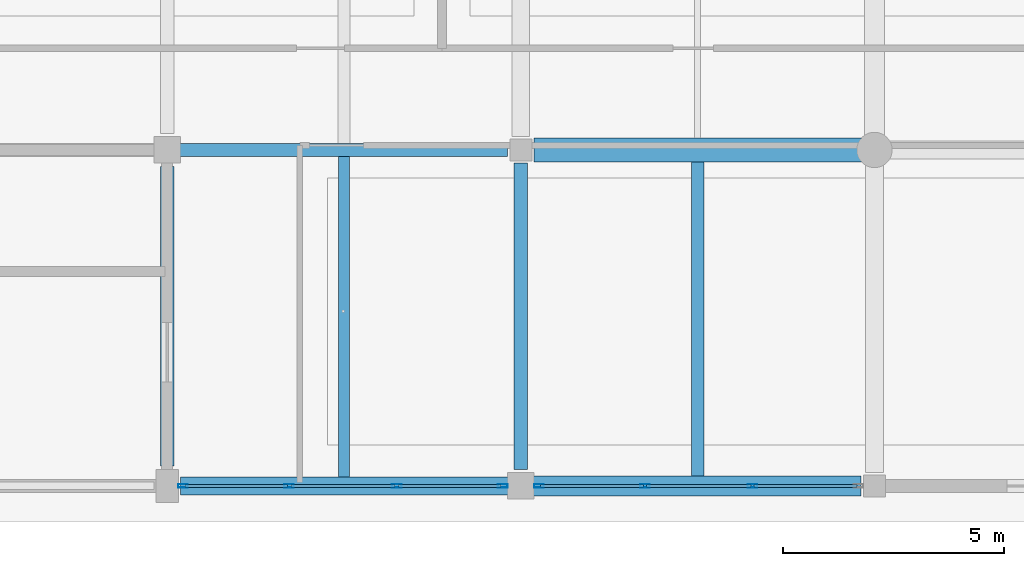
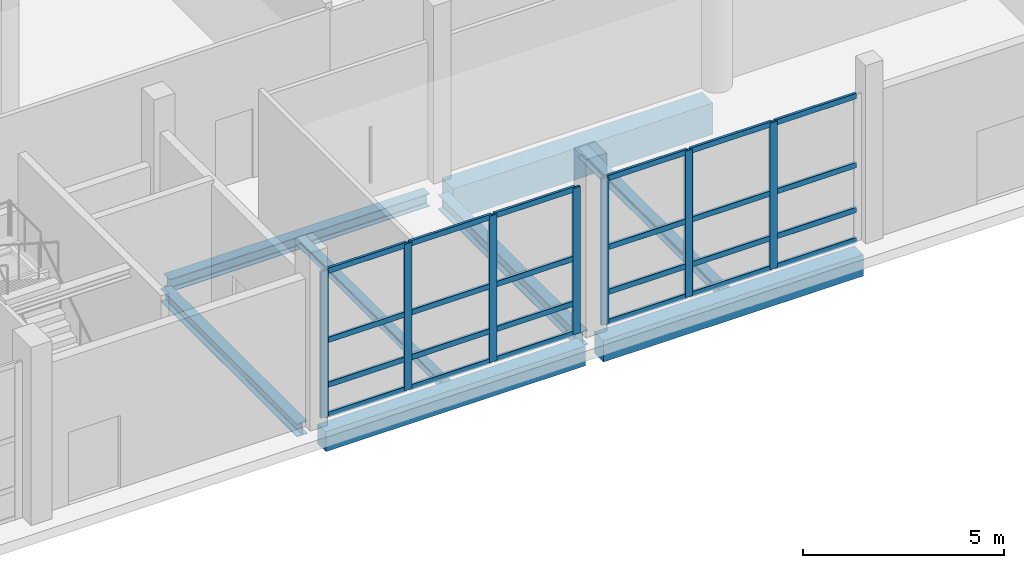
# One storey, part 16 of 126: 31 members, 8 beams, 2 elements without a shape of their own.
"""IFC4 building model written with IfcOpenShell, lengths in metres."""

import ifcopenshell
import ifcopenshell.guid

model = None  # the IFC model being written
_history = None  # IfcOwnerHistory: only IFC2X3 demands one
_inside = {}  # id of a spatial element -> (the spatial element, [elements in it])
_under = {}  # id of a project, library or spatial element -> (it, [spatial elements below it])
_declared = {}  # id of a project -> (the project, [libraries it declares])
_typed = {}  # id of a type object -> (the type object, [elements of that type])
_made_of = {}  # id of a material, layer set ... -> (it, [elements and type objects made of it])


def new_model(schema):
    """Start an empty IFC model of exactly this schema.

    Asked for "IFC4X3", IfcOpenShell would pick the latest addendum, in which some entities
    have other attributes; the version numbers below select the first issue.
    IFC2X3 requires an IfcOwnerHistory on every rooted entity: one is made here for all.
    """
    global model, _history
    if schema == "IFC4X3":
        model = ifcopenshell.file(schema_version=(4, 3, 0, 0))
    else:
        model = ifcopenshell.file(schema=schema)
    _inside.clear()
    _under.clear()
    _declared.clear()
    _typed.clear()
    _made_of.clear()
    _history = None
    if model.schema == "IFC2X3":
        org = make("IfcOrganization", Name="unknown")
        user = make(
            "IfcPersonAndOrganization",
            ThePerson=make("IfcPerson", FamilyName="unknown"),
            TheOrganization=org,
        )
        app = make(
            "IfcApplication",
            ApplicationDeveloper=org,
            Version="unknown",
            ApplicationFullName="unknown",
            ApplicationIdentifier="unknown",
        )
        _history = make(
            "IfcOwnerHistory",
            OwningUser=user,
            OwningApplication=app,
            ChangeAction="ADDED",
            CreationDate=0,
        )
    return model


def make(cls, **values):
    """One entity of the class cls with the attributes given. An attribute that is None is left unset."""
    return model.create_entity(
        cls, **{name: value for name, value in values.items() if value is not None}
    )


def rooted(cls, **values):
    """An entity with a GlobalId (a new one), such as an element, a storey or a relation."""
    return make(cls, GlobalId=ifcopenshell.guid.new(), OwnerHistory=_history, **values)


def si_unit(unit_type, name, prefix=None):
    """IfcSIUnit, for example si_unit("LENGTHUNIT", "METRE", prefix="MILLI")."""
    return make("IfcSIUnit", UnitType=unit_type, Prefix=prefix, Name=name)


def assignment(units):
    """IfcUnitAssignment: the units of a project."""
    return None if units is None else make("IfcUnitAssignment", Units=units)


def point(xyz):
    """IfcCartesianPoint."""
    return None if xyz is None else make("IfcCartesianPoint", Coordinates=xyz)


def direction(xyz):
    """IfcDirection."""
    return None if xyz is None else make("IfcDirection", DirectionRatios=xyz)


def frame(location, z_axis=None, x_axis=None):
    """IfcAxis2Placement3D, a coordinate frame: its origin and axes. An axis left out is left unset."""
    return make(
        "IfcAxis2Placement3D",
        Location=point(location),
        Axis=direction(z_axis),
        RefDirection=direction(x_axis),
    )


def frame_2d(location, x_axis=None):
    """IfcAxis2Placement2D, a coordinate frame in the plane: its origin and x axis."""
    return make(
        "IfcAxis2Placement2D", Location=point(location), RefDirection=direction(x_axis)
    )


def origin():
    """The frame at (0, 0, 0) with its axes left unset."""
    return frame((0.0, 0.0, 0.0))


def origin_2d():
    """The frame at (0, 0) in the plane with its x axis left unset."""
    return frame_2d((0.0, 0.0))


def place(relative_to, where):
    """IfcLocalPlacement: puts the frame where relative to a parent placement (None: the world)."""
    return make(
        "IfcLocalPlacement", PlacementRelTo=relative_to, RelativePlacement=where
    )


def context(
    kind, dimensions, precision=None, world=None, true_north=None, identifier=None
):
    """IfcGeometricRepresentationContext, for example the 3D "Model" context."""
    return make(
        "IfcGeometricRepresentationContext",
        ContextIdentifier=identifier,
        ContextType=kind,
        CoordinateSpaceDimension=dimensions,
        Precision=precision,
        WorldCoordinateSystem=world,
        TrueNorth=true_north,
    )


def subcontext(parent, identifier, kind, view, scale=None):
    """IfcGeometricRepresentationSubContext, for example "Body" below "Model"."""
    return make(
        "IfcGeometricRepresentationSubContext",
        ContextIdentifier=identifier,
        ContextType=kind,
        ParentContext=parent,
        TargetScale=scale,
        TargetView=view,
    )


def project(units=None, contexts=None):
    """IfcProject with its units and contexts."""
    return rooted(
        "IfcProject",
        Name="project",
        RepresentationContexts=contexts,
        UnitsInContext=assignment(units),
    )


def spatial(cls, under=None, at=None, **own):
    """A site, building, storey or space (cls), placed at a placement, below another one or the project."""
    s = rooted(cls, ObjectPlacement=at, **own)
    if under is not None:
        _under.setdefault(under.id(), (under, []))[1].append(s)
    return s


def profile(cls, at=None, kind="AREA", **sizes):
    """A parametric profile (cls). Its sizes go by their IFC names, for example OverallWidth=200.0."""
    return make(cls, ProfileType=kind, Position=at, **sizes)


def rectangle(**sizes):
    """IfcRectangleProfileDef."""
    return profile("IfcRectangleProfileDef", **sizes)


def hollow_rectangle(**sizes):
    """IfcRectangleHollowProfileDef."""
    return profile("IfcRectangleHollowProfileDef", **sizes)


def i_section(**sizes):
    """IfcIShapeProfileDef."""
    return profile("IfcIShapeProfileDef", **sizes)


def extrude(swept, where, along, depth):
    """IfcExtrudedAreaSolid: the profile swept, set in the frame where, extruded along a direction by depth."""
    return make(
        "IfcExtrudedAreaSolid",
        SweptArea=swept,
        Position=where,
        ExtrudedDirection=direction(along),
        Depth=depth,
    )


def shape(context_of_items, identifier, shape_type, items):
    """IfcShapeRepresentation: the items that make up one representation, for example the "Body"."""
    return make(
        "IfcShapeRepresentation",
        ContextOfItems=context_of_items,
        RepresentationIdentifier=identifier,
        RepresentationType=shape_type,
        Items=items,
    )


def material(Name=None, Category=None):
    """IfcMaterial."""
    return make("IfcMaterial", Name=Name, Category=Category)


def material_profile(
    of_material, cross_section, Name=None, Category=None, Priority=None
):
    """IfcMaterialProfile: a cross section and its material."""
    return make(
        "IfcMaterialProfile",
        Name=Name,
        Material=of_material,
        Profile=cross_section,
        Priority=Priority,
        Category=Category,
    )


def profile_set(profiles, Name=None, composite=None):
    """IfcMaterialProfileSet."""
    return make(
        "IfcMaterialProfileSet",
        Name=Name,
        MaterialProfiles=profiles,
        CompositeProfile=composite,
    )


def made_of(thing, what):
    """Note that an element or type object is made of a material, layer set ...; save() writes the relation."""
    if what is not None:
        _made_of.setdefault(what.id(), (what, []))[1].append(thing)
    return thing


def type_object(cls, material=None, **own):
    """A type object (cls), such as IfcWallType, which elements share."""
    return made_of(rooted(cls, **own), material)


def element(
    cls,
    number,
    at=None,
    inside=None,
    cuts=None,
    type_object=None,
    material=None,
    context=None,
    identifier="Body",
    shape_type=None,
    held_by="IfcProductDefinitionShape",
    body=None,
    shapes=None,
    **own,
):
    """One element of the class cls, such as IfcWall. Its Tag is "e" and its number.

    at: its placement. inside: the storey or other place that contains it. cuts: it is an
    opening in that element (IfcRelVoidsElement). A single representation is given by context,
    identifier, shape_type and body (its items); several are given by shapes. held_by: the class
    of the entity that holds the representations. save() writes the other relations.
    """
    e = rooted(cls, Tag="e%d" % number, ObjectPlacement=at, **own)
    if body is not None:
        shapes = [shape(context, identifier, shape_type, body)]
    if shapes is not None:
        e.Representation = make(held_by, Representations=shapes)
    if inside is not None:
        _inside.setdefault(inside.id(), (inside, []))[1].append(e)
    if cuts is not None:
        rooted(
            "IfcRelVoidsElement", RelatingBuildingElement=cuts, RelatedOpeningElement=e
        )
    if type_object is not None:
        _typed.setdefault(type_object.id(), (type_object, []))[1].append(e)
    return made_of(e, material)


def aggregate(whole, parts):
    """IfcRelAggregates: a whole, such as a stair, and the parts it consists of."""
    return rooted("IfcRelAggregates", RelatingObject=whole, RelatedObjects=parts)


def save(model, path):
    """Write the relations noted so far, then the file.

    IfcRelAggregates (storeys below a building ...), IfcRelContainedInSpatialStructure (elements
    in a storey), IfcRelDefinesByType, IfcRelAssociatesMaterial and IfcRelDeclares: one each for
    every whole, place, type object, material and project.
    """
    for whole, parts in _under.values():
        aggregate(whole, parts)
    for where, things in _inside.values():
        rooted(
            "IfcRelContainedInSpatialStructure",
            RelatedElements=things,
            RelatingStructure=where,
        )
    for kind, things in _typed.values():
        rooted("IfcRelDefinesByType", RelatedObjects=things, RelatingType=kind)
    for what, things in _made_of.values():
        rooted("IfcRelAssociatesMaterial", RelatedObjects=things, RelatingMaterial=what)
    for by, libraries in _declared.values():
        rooted("IfcRelDeclares", RelatingContext=by, RelatedDefinitions=libraries)
    model.write(path)


model = new_model("IFC4")

# Units and contexts
model_context = context("Model", 3, precision=1e-05, world=origin(), true_north=direction((0.0, 1.0)))
body_context = subcontext(model_context, "Body", "Model", "MODEL_VIEW")
ifc_project = project(units=[si_unit("LENGTHUNIT", "METRE"), si_unit("AREAUNIT", "SQUARE_METRE"), si_unit("VOLUMEUNIT", "CUBIC_METRE"), si_unit("PLANEANGLEUNIT", "RADIAN"), si_unit("MASSUNIT", "GRAM", prefix="KILO")], contexts=[model_context])

# Site, building, storey
site_placement = place(None, origin())
site = spatial("IfcSite", under=ifc_project, at=site_placement, CompositionType="ELEMENT")
building_placement = place(site_placement, origin())
building = spatial("IfcBuilding", under=site, at=building_placement, Name="Khelvaren Railside Concert Hall", CompositionType="ELEMENT")
storey_placement = place(building_placement, origin())
storey = spatial("IfcBuildingStorey", under=building, at=storey_placement, Name="L00", CompositionType="ELEMENT", Elevation=0.0)

# Beams
ifc_material_1 = material(Name="Steel S355", Category="steel")
ifc_material_profile_1 = material_profile(ifc_material_1, i_section(OverallWidth=0.300048828125, OverallDepth=0.389892578125, WebThickness=0.010986328125, FlangeThickness=0.01904296875, FilletRadius=0.027099609375, at=origin_2d()), Name="HEA 400")
ifc_profile_set_1 = profile_set([ifc_material_profile_1], Name="Steel S355")
beam_type_1 = type_object("IfcBeamType", Name="BM23", PredefinedType="BEAM", material=ifc_profile_set_1)
beam_1_placement = place(storey_placement, frame((80.25, 7.60009765625, -0.514892578125), z_axis=(1.0, 0.0, 0.0), x_axis=(0.0, 1.0, 0.0)))
element("IfcBeam", 1, at=beam_1_placement, inside=storey, type_object=beam_type_1, Name="V3 L00 Beam X2.3", PredefinedType="BEAM", context=body_context, shape_type="SweptSolid", body=[
    extrude(i_section(OverallWidth=0.300048828125, OverallDepth=0.389892578125, WebThickness=0.010986328125, FlangeThickness=0.01904296875, FilletRadius=0.027099609375, at=origin_2d()), origin(), (0.0, 0.0, 1.0), 7.449951171875),
])
beam_2_placement = place(storey_placement, frame((80.0, 0.449951171875, -0.514892578125), z_axis=(0.0, 1.0, 0.0), x_axis=(-1.0, 0.0, 0.0)))
element("IfcBeam", 2, at=beam_2_placement, inside=storey, type_object=beam_type_1, Name="V3 L00 Beam Y3.1", PredefinedType="BEAM", context=body_context, shape_type="SweptSolid", body=[
    extrude(i_section(OverallWidth=0.300048828125, OverallDepth=0.389892578125, WebThickness=0.010986328125, FlangeThickness=0.01904296875, FilletRadius=0.027099609375, at=origin_2d()), origin(), (0.0, 0.0, 1.0), 6.775146484375),
])
ifc_material_profile_2 = material_profile(ifc_material_1, i_section(OverallWidth=0.300048828125, OverallDepth=0.43994140625, WebThickness=0.011474609375, FlangeThickness=0.02099609375, FilletRadius=0.027099609375, at=origin_2d()), Name="HEA 450")
ifc_profile_set_2 = profile_set([ifc_material_profile_2], Name="Steel S355")
beam_type_2 = type_object("IfcBeamType", Name="BM89", PredefinedType="BEAM", material=ifc_profile_set_2)
beam_3_placement = place(storey_placement, frame((88.0, 0.375, -0.5400390625), z_axis=(0.0, 1.0, 0.0), x_axis=(-1.0, 0.0, 0.0)))
element("IfcBeam", 3, at=beam_3_placement, inside=storey, type_object=beam_type_2, Name="V3 L00 Beam Y4.1", PredefinedType="BEAM", context=body_context, shape_type="SweptSolid", body=[
    extrude(i_section(OverallWidth=0.300048828125, OverallDepth=0.43994140625, WebThickness=0.011474609375, FlangeThickness=0.02099609375, FilletRadius=0.027099609375, at=origin_2d()), origin(), (0.0, 0.0, 1.0), 6.925048828125),
])

# Curtain wall, members
ifc_material_2 = material(Name="Triple-glazed solar-control glass", Category="glass")
curtain_wall_type_1 = type_object("IfcCurtainWallType", Name="CW41", PredefinedType="USERDEFINED", material=ifc_material_2)
curtain_wall_1_placement = place(storey_placement, origin())
curtain_wall_1 = element("IfcCurtainWall", 4, at=curtain_wall_1_placement, inside=storey, type_object=curtain_wall_type_1, Name="Unitised Curtain Wall CW-V3-L00-S-80", ObjectType="UNITISED CURTAIN WALL", PredefinedType="USERDEFINED")
ifc_material_3 = material(Name="Anodised architectural aluminium 6063-T6", Category="aluminium")
ifc_material_profile_3 = material_profile(ifc_material_3, hollow_rectangle(XDim=0.074951171875, YDim=0.219970703125, WallThickness=0.0048828125, InnerFilletRadius=0.0029296875, OuterFilletRadius=0.0048828125, at=origin_2d()), Name="CWM 75x220x5")
ifc_profile_set_3 = profile_set([ifc_material_profile_3], Name="Anodised architectural aluminium 6063-T6")
member_type_1 = type_object("IfcMemberType", Name="CWM13", PredefinedType="MULLION", material=ifc_profile_set_3)
member_1_placement = place(storey_placement, frame((87.590087890625, 0.0, 0.0), z_axis=(0.0, 0.0, 1.0), x_axis=(0.0, -1.0, 0.0)))
member_1 = element("IfcMember", 5, at=member_1_placement, type_object=member_type_1, Name="CW41 mullion 1", PredefinedType="MULLION", context=body_context, shape_type="SweptSolid", body=[
    extrude(hollow_rectangle(XDim=0.074951171875, YDim=0.219970703125, WallThickness=0.0048828125, InnerFilletRadius=0.0029296875, OuterFilletRadius=0.0048828125, at=origin_2d()), origin(), (0.0, 0.0, 1.0), 4.43994140625),
])
member_2_placement = place(storey_placement, frame((85.1923828125, 0.0, 0.0), z_axis=(0.0, 0.0, 1.0), x_axis=(0.0, -1.0, 0.0)))
member_2 = element("IfcMember", 6, at=member_2_placement, type_object=member_type_1, Name="CW41 mullion 2", PredefinedType="MULLION", context=body_context, shape_type="SweptSolid", body=[
    extrude(hollow_rectangle(XDim=0.074951171875, YDim=0.219970703125, WallThickness=0.0048828125, InnerFilletRadius=0.0029296875, OuterFilletRadius=0.0048828125, at=origin_2d()), origin(), (0.0, 0.0, 1.0), 4.43994140625),
])
member_3_placement = place(storey_placement, frame((82.757568359375, 0.0, 0.0), z_axis=(0.0, 0.0, 1.0), x_axis=(0.0, -1.0, 0.0)))
member_3 = element("IfcMember", 7, at=member_3_placement, type_object=member_type_1, Name="CW41 mullion 3", PredefinedType="MULLION", context=body_context, shape_type="SweptSolid", body=[
    extrude(hollow_rectangle(XDim=0.074951171875, YDim=0.219970703125, WallThickness=0.0048828125, InnerFilletRadius=0.0029296875, OuterFilletRadius=0.0048828125, at=origin_2d()), origin(), (0.0, 0.0, 1.0), 4.43994140625),
])
member_4_placement = place(storey_placement, frame((80.360107421875, 0.0, 0.0), z_axis=(0.0, 0.0, 1.0), x_axis=(0.0, -1.0, 0.0)))
member_4 = element("IfcMember", 8, at=member_4_placement, type_object=member_type_1, Name="CW41 mullion 4", PredefinedType="MULLION", context=body_context, shape_type="SweptSolid", body=[
    extrude(hollow_rectangle(XDim=0.074951171875, YDim=0.219970703125, WallThickness=0.0048828125, InnerFilletRadius=0.0029296875, OuterFilletRadius=0.0048828125, at=origin_2d()), origin(), (0.0, 0.0, 1.0), 4.43994140625),
])

curtain_wall_type_2 = type_object("IfcCurtainWallType", Name="CW88", PredefinedType="USERDEFINED", material=ifc_material_2)
curtain_wall_2_placement = place(storey_placement, origin())
curtain_wall_2 = element("IfcCurtainWall", 9, at=curtain_wall_2_placement, inside=storey, type_object=curtain_wall_type_2, Name="Unitised Curtain Wall CW-V3-L00-S-88", ObjectType="UNITISED CURTAIN WALL", PredefinedType="USERDEFINED")
member_5_placement = place(storey_placement, frame((93.242431640625, 0.0, 0.0), z_axis=(0.0, 0.0, 1.0), x_axis=(0.0, -1.0, 0.0)))
member_5 = element("IfcMember", 10, at=member_5_placement, type_object=member_type_1, Name="CW88 mullion 2", PredefinedType="MULLION", context=body_context, shape_type="SweptSolid", body=[
    extrude(hollow_rectangle(XDim=0.074951171875, YDim=0.219970703125, WallThickness=0.0048828125, InnerFilletRadius=0.0029296875, OuterFilletRadius=0.0048828125, at=origin_2d()), origin(), (0.0, 0.0, 1.0), 4.43994140625),
])
member_6_placement = place(storey_placement, frame((90.8076171875, 0.0, 0.0), z_axis=(0.0, 0.0, 1.0), x_axis=(0.0, -1.0, 0.0)))
member_6 = element("IfcMember", 11, at=member_6_placement, type_object=member_type_1, Name="CW88 mullion 3", PredefinedType="MULLION", context=body_context, shape_type="SweptSolid", body=[
    extrude(hollow_rectangle(XDim=0.074951171875, YDim=0.219970703125, WallThickness=0.0048828125, InnerFilletRadius=0.0029296875, OuterFilletRadius=0.0048828125, at=origin_2d()), origin(), (0.0, 0.0, 1.0), 4.43994140625),
])
member_7_placement = place(storey_placement, frame((88.409912109375, 0.0, 0.0), z_axis=(0.0, 0.0, 1.0), x_axis=(0.0, -1.0, 0.0)))
member_7 = element("IfcMember", 12, at=member_7_placement, type_object=member_type_1, Name="CW88 mullion 4", PredefinedType="MULLION", context=body_context, shape_type="SweptSolid", body=[
    extrude(hollow_rectangle(XDim=0.074951171875, YDim=0.219970703125, WallThickness=0.0048828125, InnerFilletRadius=0.0029296875, OuterFilletRadius=0.0048828125, at=origin_2d()), origin(), (0.0, 0.0, 1.0), 4.43994140625),
])

# Member
ifc_material_profile_4 = material_profile(ifc_material_3, hollow_rectangle(XDim=0.074951171875, YDim=0.1650390625, WallThickness=0.00390625, InnerFilletRadius=0.001953125, OuterFilletRadius=0.00390625, at=origin_2d()), Name="CWT 75x165x4")
ifc_profile_set_4 = profile_set([ifc_material_profile_4], Name="Anodised architectural aluminium 6063-T6")
member_type_2 = type_object("IfcMemberType", Name="CWT46", PredefinedType="USERDEFINED", material=ifc_profile_set_4)
member_8_placement = place(storey_placement, frame((87.552490234375, 0.0, 0.03759765625), z_axis=(-1.0, 0.0, 0.0), x_axis=(0.0, -1.0, 0.0)))
member_8 = element("IfcMember", 13, at=member_8_placement, type_object=member_type_2, Name="CW41 transom 1.1", ObjectType="TRANSOM", PredefinedType="USERDEFINED", context=body_context, shape_type="SweptSolid", body=[
    extrude(hollow_rectangle(XDim=0.074951171875, YDim=0.1650390625, WallThickness=0.00390625, InnerFilletRadius=0.001953125, OuterFilletRadius=0.00390625, at=origin_2d()), origin(), (0.0, 0.0, 1.0), 2.322509765625),
])

member_9_placement = place(storey_placement, frame((87.552490234375, 0.0, 0.949951171875), z_axis=(-1.0, 0.0, 0.0), x_axis=(0.0, -1.0, 0.0)))
member_9 = element("IfcMember", 14, at=member_9_placement, type_object=member_type_2, Name="CW41 transom 1.2", ObjectType="TRANSOM", PredefinedType="USERDEFINED", context=body_context, shape_type="SweptSolid", body=[
    extrude(hollow_rectangle(XDim=0.074951171875, YDim=0.1650390625, WallThickness=0.00390625, InnerFilletRadius=0.001953125, OuterFilletRadius=0.00390625, at=origin_2d()), origin(), (0.0, 0.0, 1.0), 2.322509765625),
])

member_10_placement = place(storey_placement, frame((87.552490234375, 0.0, 2.308837890625), z_axis=(-1.0, 0.0, 0.0), x_axis=(0.0, -1.0, 0.0)))
member_10 = element("IfcMember", 15, at=member_10_placement, type_object=member_type_2, Name="CW41 transom 1.3", ObjectType="TRANSOM", PredefinedType="USERDEFINED", context=body_context, shape_type="SweptSolid", body=[
    extrude(hollow_rectangle(XDim=0.074951171875, YDim=0.1650390625, WallThickness=0.00390625, InnerFilletRadius=0.001953125, OuterFilletRadius=0.00390625, at=origin_2d()), origin(), (0.0, 0.0, 1.0), 2.322509765625),
])

member_11_placement = place(storey_placement, frame((87.552490234375, 0.0, 4.402587890625), z_axis=(-1.0, 0.0, 0.0), x_axis=(0.0, -1.0, 0.0)))
member_11 = element("IfcMember", 16, at=member_11_placement, type_object=member_type_2, Name="CW41 transom 1.4", ObjectType="TRANSOM", PredefinedType="USERDEFINED", context=body_context, shape_type="SweptSolid", body=[
    extrude(hollow_rectangle(XDim=0.074951171875, YDim=0.1650390625, WallThickness=0.00390625, InnerFilletRadius=0.001953125, OuterFilletRadius=0.00390625, at=origin_2d()), origin(), (0.0, 0.0, 1.0), 2.322509765625),
])

member_12_placement = place(storey_placement, frame((85.155029296875, 0.0, 0.03759765625), z_axis=(-1.0, 0.0, 0.0), x_axis=(0.0, -1.0, 0.0)))
member_12 = element("IfcMember", 17, at=member_12_placement, type_object=member_type_2, Name="CW41 transom 2.1", ObjectType="TRANSOM", PredefinedType="USERDEFINED", context=body_context, shape_type="SweptSolid", body=[
    extrude(hollow_rectangle(XDim=0.074951171875, YDim=0.1650390625, WallThickness=0.00390625, InnerFilletRadius=0.001953125, OuterFilletRadius=0.00390625, at=origin_2d()), origin(), (0.0, 0.0, 1.0), 2.360107421875),
])

member_13_placement = place(storey_placement, frame((85.155029296875, 0.0, 0.949951171875), z_axis=(-1.0, 0.0, 0.0), x_axis=(0.0, -1.0, 0.0)))
member_13 = element("IfcMember", 18, at=member_13_placement, type_object=member_type_2, Name="CW41 transom 2.2", ObjectType="TRANSOM", PredefinedType="USERDEFINED", context=body_context, shape_type="SweptSolid", body=[
    extrude(hollow_rectangle(XDim=0.074951171875, YDim=0.1650390625, WallThickness=0.00390625, InnerFilletRadius=0.001953125, OuterFilletRadius=0.00390625, at=origin_2d()), origin(), (0.0, 0.0, 1.0), 2.360107421875),
])

member_14_placement = place(storey_placement, frame((85.155029296875, 0.0, 2.308837890625), z_axis=(-1.0, 0.0, 0.0), x_axis=(0.0, -1.0, 0.0)))
member_14 = element("IfcMember", 19, at=member_14_placement, type_object=member_type_2, Name="CW41 transom 2.3", ObjectType="TRANSOM", PredefinedType="USERDEFINED", context=body_context, shape_type="SweptSolid", body=[
    extrude(hollow_rectangle(XDim=0.074951171875, YDim=0.1650390625, WallThickness=0.00390625, InnerFilletRadius=0.001953125, OuterFilletRadius=0.00390625, at=origin_2d()), origin(), (0.0, 0.0, 1.0), 2.360107421875),
])

member_15_placement = place(storey_placement, frame((85.155029296875, 0.0, 4.402587890625), z_axis=(-1.0, 0.0, 0.0), x_axis=(0.0, -1.0, 0.0)))
member_15 = element("IfcMember", 20, at=member_15_placement, type_object=member_type_2, Name="CW41 transom 2.4", ObjectType="TRANSOM", PredefinedType="USERDEFINED", context=body_context, shape_type="SweptSolid", body=[
    extrude(hollow_rectangle(XDim=0.074951171875, YDim=0.1650390625, WallThickness=0.00390625, InnerFilletRadius=0.001953125, OuterFilletRadius=0.00390625, at=origin_2d()), origin(), (0.0, 0.0, 1.0), 2.360107421875),
])

member_16_placement = place(storey_placement, frame((82.719970703125, 0.0, 0.03759765625), z_axis=(-1.0, 0.0, 0.0), x_axis=(0.0, -1.0, 0.0)))
member_16 = element("IfcMember", 21, at=member_16_placement, type_object=member_type_2, Name="CW41 transom 3.1", ObjectType="TRANSOM", PredefinedType="USERDEFINED", context=body_context, shape_type="SweptSolid", body=[
    extrude(hollow_rectangle(XDim=0.074951171875, YDim=0.1650390625, WallThickness=0.00390625, InnerFilletRadius=0.001953125, OuterFilletRadius=0.00390625, at=origin_2d()), origin(), (0.0, 0.0, 1.0), 2.322509765625),
])

member_17_placement = place(storey_placement, frame((82.719970703125, 0.0, 0.949951171875), z_axis=(-1.0, 0.0, 0.0), x_axis=(0.0, -1.0, 0.0)))
member_17 = element("IfcMember", 22, at=member_17_placement, type_object=member_type_2, Name="CW41 transom 3.2", ObjectType="TRANSOM", PredefinedType="USERDEFINED", context=body_context, shape_type="SweptSolid", body=[
    extrude(hollow_rectangle(XDim=0.074951171875, YDim=0.1650390625, WallThickness=0.00390625, InnerFilletRadius=0.001953125, OuterFilletRadius=0.00390625, at=origin_2d()), origin(), (0.0, 0.0, 1.0), 2.322509765625),
])

member_18_placement = place(storey_placement, frame((82.719970703125, 0.0, 2.308837890625), z_axis=(-1.0, 0.0, 0.0), x_axis=(0.0, -1.0, 0.0)))
member_18 = element("IfcMember", 23, at=member_18_placement, type_object=member_type_2, Name="CW41 transom 3.3", ObjectType="TRANSOM", PredefinedType="USERDEFINED", context=body_context, shape_type="SweptSolid", body=[
    extrude(hollow_rectangle(XDim=0.074951171875, YDim=0.1650390625, WallThickness=0.00390625, InnerFilletRadius=0.001953125, OuterFilletRadius=0.00390625, at=origin_2d()), origin(), (0.0, 0.0, 1.0), 2.322509765625),
])

member_19_placement = place(storey_placement, frame((82.719970703125, 0.0, 4.402587890625), z_axis=(-1.0, 0.0, 0.0), x_axis=(0.0, -1.0, 0.0)))
member_19 = element("IfcMember", 24, at=member_19_placement, type_object=member_type_2, Name="CW41 transom 3.4", ObjectType="TRANSOM", PredefinedType="USERDEFINED", context=body_context, shape_type="SweptSolid", body=[
    extrude(hollow_rectangle(XDim=0.074951171875, YDim=0.1650390625, WallThickness=0.00390625, InnerFilletRadius=0.001953125, OuterFilletRadius=0.00390625, at=origin_2d()), origin(), (0.0, 0.0, 1.0), 2.322509765625),
])

aggregate(curtain_wall_1, [member_1, member_2, member_3, member_4, member_8, member_9, member_10, member_11, member_12, member_13, member_14, member_15, member_16, member_17, member_18, member_19])

member_20_placement = place(storey_placement, frame((95.6025390625, 0.0, 0.03759765625), z_axis=(-1.0, 0.0, 0.0), x_axis=(0.0, -1.0, 0.0)))
member_20 = element("IfcMember", 25, at=member_20_placement, type_object=member_type_2, Name="CW88 transom 1.1", ObjectType="TRANSOM", PredefinedType="USERDEFINED", context=body_context, shape_type="SweptSolid", body=[
    extrude(hollow_rectangle(XDim=0.074951171875, YDim=0.1650390625, WallThickness=0.00390625, InnerFilletRadius=0.001953125, OuterFilletRadius=0.00390625, at=origin_2d()), origin(), (0.0, 0.0, 1.0), 2.322509765625),
])

member_21_placement = place(storey_placement, frame((95.6025390625, 0.0, 0.949951171875), z_axis=(-1.0, 0.0, 0.0), x_axis=(0.0, -1.0, 0.0)))
member_21 = element("IfcMember", 26, at=member_21_placement, type_object=member_type_2, Name="CW88 transom 1.2", ObjectType="TRANSOM", PredefinedType="USERDEFINED", context=body_context, shape_type="SweptSolid", body=[
    extrude(hollow_rectangle(XDim=0.074951171875, YDim=0.1650390625, WallThickness=0.00390625, InnerFilletRadius=0.001953125, OuterFilletRadius=0.00390625, at=origin_2d()), origin(), (0.0, 0.0, 1.0), 2.322509765625),
])

member_22_placement = place(storey_placement, frame((95.6025390625, 0.0, 2.308837890625), z_axis=(-1.0, 0.0, 0.0), x_axis=(0.0, -1.0, 0.0)))
member_22 = element("IfcMember", 27, at=member_22_placement, type_object=member_type_2, Name="CW88 transom 1.3", ObjectType="TRANSOM", PredefinedType="USERDEFINED", context=body_context, shape_type="SweptSolid", body=[
    extrude(hollow_rectangle(XDim=0.074951171875, YDim=0.1650390625, WallThickness=0.00390625, InnerFilletRadius=0.001953125, OuterFilletRadius=0.00390625, at=origin_2d()), origin(), (0.0, 0.0, 1.0), 2.322509765625),
])

member_23_placement = place(storey_placement, frame((95.6025390625, 0.0, 4.402587890625), z_axis=(-1.0, 0.0, 0.0), x_axis=(0.0, -1.0, 0.0)))
member_23 = element("IfcMember", 28, at=member_23_placement, type_object=member_type_2, Name="CW88 transom 1.4", ObjectType="TRANSOM", PredefinedType="USERDEFINED", context=body_context, shape_type="SweptSolid", body=[
    extrude(hollow_rectangle(XDim=0.074951171875, YDim=0.1650390625, WallThickness=0.00390625, InnerFilletRadius=0.001953125, OuterFilletRadius=0.00390625, at=origin_2d()), origin(), (0.0, 0.0, 1.0), 2.322509765625),
])

member_24_placement = place(storey_placement, frame((93.205078125, 0.0, 0.03759765625), z_axis=(-1.0, 0.0, 0.0), x_axis=(0.0, -1.0, 0.0)))
member_24 = element("IfcMember", 29, at=member_24_placement, type_object=member_type_2, Name="CW88 transom 2.1", ObjectType="TRANSOM", PredefinedType="USERDEFINED", context=body_context, shape_type="SweptSolid", body=[
    extrude(hollow_rectangle(XDim=0.074951171875, YDim=0.1650390625, WallThickness=0.00390625, InnerFilletRadius=0.001953125, OuterFilletRadius=0.00390625, at=origin_2d()), origin(), (0.0, 0.0, 1.0), 2.360107421875),
])

member_25_placement = place(storey_placement, frame((93.205078125, 0.0, 0.949951171875), z_axis=(-1.0, 0.0, 0.0), x_axis=(0.0, -1.0, 0.0)))
member_25 = element("IfcMember", 30, at=member_25_placement, type_object=member_type_2, Name="CW88 transom 2.2", ObjectType="TRANSOM", PredefinedType="USERDEFINED", context=body_context, shape_type="SweptSolid", body=[
    extrude(hollow_rectangle(XDim=0.074951171875, YDim=0.1650390625, WallThickness=0.00390625, InnerFilletRadius=0.001953125, OuterFilletRadius=0.00390625, at=origin_2d()), origin(), (0.0, 0.0, 1.0), 2.360107421875),
])

member_26_placement = place(storey_placement, frame((93.205078125, 0.0, 2.308837890625), z_axis=(-1.0, 0.0, 0.0), x_axis=(0.0, -1.0, 0.0)))
member_26 = element("IfcMember", 31, at=member_26_placement, type_object=member_type_2, Name="CW88 transom 2.3", ObjectType="TRANSOM", PredefinedType="USERDEFINED", context=body_context, shape_type="SweptSolid", body=[
    extrude(hollow_rectangle(XDim=0.074951171875, YDim=0.1650390625, WallThickness=0.00390625, InnerFilletRadius=0.001953125, OuterFilletRadius=0.00390625, at=origin_2d()), origin(), (0.0, 0.0, 1.0), 2.360107421875),
])

member_27_placement = place(storey_placement, frame((93.205078125, 0.0, 4.402587890625), z_axis=(-1.0, 0.0, 0.0), x_axis=(0.0, -1.0, 0.0)))
member_27 = element("IfcMember", 32, at=member_27_placement, type_object=member_type_2, Name="CW88 transom 2.4", ObjectType="TRANSOM", PredefinedType="USERDEFINED", context=body_context, shape_type="SweptSolid", body=[
    extrude(hollow_rectangle(XDim=0.074951171875, YDim=0.1650390625, WallThickness=0.00390625, InnerFilletRadius=0.001953125, OuterFilletRadius=0.00390625, at=origin_2d()), origin(), (0.0, 0.0, 1.0), 2.360107421875),
])

member_28_placement = place(storey_placement, frame((90.77001953125, 0.0, 0.03759765625), z_axis=(-1.0, 0.0, 0.0), x_axis=(0.0, -1.0, 0.0)))
member_28 = element("IfcMember", 33, at=member_28_placement, type_object=member_type_2, Name="CW88 transom 3.1", ObjectType="TRANSOM", PredefinedType="USERDEFINED", context=body_context, shape_type="SweptSolid", body=[
    extrude(hollow_rectangle(XDim=0.074951171875, YDim=0.1650390625, WallThickness=0.00390625, InnerFilletRadius=0.001953125, OuterFilletRadius=0.00390625, at=origin_2d()), origin(), (0.0, 0.0, 1.0), 2.322509765625),
])

member_29_placement = place(storey_placement, frame((90.77001953125, 0.0, 0.949951171875), z_axis=(-1.0, 0.0, 0.0), x_axis=(0.0, -1.0, 0.0)))
member_29 = element("IfcMember", 34, at=member_29_placement, type_object=member_type_2, Name="CW88 transom 3.2", ObjectType="TRANSOM", PredefinedType="USERDEFINED", context=body_context, shape_type="SweptSolid", body=[
    extrude(hollow_rectangle(XDim=0.074951171875, YDim=0.1650390625, WallThickness=0.00390625, InnerFilletRadius=0.001953125, OuterFilletRadius=0.00390625, at=origin_2d()), origin(), (0.0, 0.0, 1.0), 2.322509765625),
])

member_30_placement = place(storey_placement, frame((90.77001953125, 0.0, 2.308837890625), z_axis=(-1.0, 0.0, 0.0), x_axis=(0.0, -1.0, 0.0)))
member_30 = element("IfcMember", 35, at=member_30_placement, type_object=member_type_2, Name="CW88 transom 3.3", ObjectType="TRANSOM", PredefinedType="USERDEFINED", context=body_context, shape_type="SweptSolid", body=[
    extrude(hollow_rectangle(XDim=0.074951171875, YDim=0.1650390625, WallThickness=0.00390625, InnerFilletRadius=0.001953125, OuterFilletRadius=0.00390625, at=origin_2d()), origin(), (0.0, 0.0, 1.0), 2.322509765625),
])

member_31_placement = place(storey_placement, frame((90.77001953125, 0.0, 4.402587890625), z_axis=(-1.0, 0.0, 0.0), x_axis=(0.0, -1.0, 0.0)))
member_31 = element("IfcMember", 36, at=member_31_placement, type_object=member_type_2, Name="CW88 transom 3.4", ObjectType="TRANSOM", PredefinedType="USERDEFINED", context=body_context, shape_type="SweptSolid", body=[
    extrude(hollow_rectangle(XDim=0.074951171875, YDim=0.1650390625, WallThickness=0.00390625, InnerFilletRadius=0.001953125, OuterFilletRadius=0.00390625, at=origin_2d()), origin(), (0.0, 0.0, 1.0), 2.322509765625),
])

aggregate(curtain_wall_2, [member_5, member_6, member_7, member_20, member_21, member_22, member_23, member_24, member_25, member_26, member_27, member_28, member_29, member_30, member_31])

# Beams
ifc_material_4 = material(Name="Concrete C40/50", Category="concrete")
ifc_material_profile_5 = material_profile(ifc_material_4, rectangle(XDim=0.550048828125, YDim=0.949951171875, at=origin_2d()), Name="RCB 550x950")
ifc_profile_set_5 = profile_set([ifc_material_profile_5], Name="Concrete C40/50")
beam_type_3 = type_object("IfcBeamType", Name="GR57", PredefinedType="T_BEAM", material=ifc_profile_set_5)
beam_4_placement = place(storey_placement, frame((88.300048828125, 7.60009765625, -0.794921875), z_axis=(1.0, 0.0, 0.0), x_axis=(0.0, 1.0, 0.0)))
element("IfcBeam", 37, at=beam_4_placement, inside=storey, type_object=beam_type_3, Name="V3 L00 T_Beam X2.4", PredefinedType="T_BEAM", context=body_context, shape_type="SweptSolid", body=[
    extrude(rectangle(XDim=0.550048828125, YDim=0.949951171875, at=origin_2d()), origin(), (0.0, 0.0, 1.0), 7.449951171875),
])
ifc_material_profile_6 = material_profile(ifc_material_1, i_section(OverallWidth=0.280029296875, OverallDepth=0.27001953125, WebThickness=0.008056640625, FlangeThickness=0.012939453125, FilletRadius=0.02392578125, at=origin_2d()), Name="HEA 280")
ifc_profile_set_6 = profile_set([ifc_material_profile_6], Name="Steel S355")
beam_type_4 = type_object("IfcBeamType", Name="JS46", PredefinedType="JOIST", material=ifc_profile_set_6)
beam_5_placement = place(storey_placement, frame((92.0, 0.22509765625, -0.455078125), z_axis=(0.0, 1.0, 0.0), x_axis=(-1.0, 0.0, 0.0)))
element("IfcBeam", 38, at=beam_5_placement, inside=storey, type_object=beam_type_4, Name="V3 L00 Secondary Joist 4.1", PredefinedType="JOIST", context=body_context, shape_type="SweptSolid", body=[
    extrude(i_section(OverallWidth=0.280029296875, OverallDepth=0.27001953125, WebThickness=0.008056640625, FlangeThickness=0.012939453125, FilletRadius=0.02392578125, at=origin_2d()), origin(), (0.0, 0.0, 1.0), 7.099853515625),
])
ifc_material_profile_7 = material_profile(ifc_material_1, i_section(OverallWidth=0.239990234375, OverallDepth=0.22998046875, WebThickness=0.007568359375, FlangeThickness=0.011962890625, FilletRadius=0.02099609375, at=origin_2d()), Name="HEA 240")
ifc_profile_set_7 = profile_set([ifc_material_profile_7], Name="Steel S355")
beam_type_5 = type_object("IfcBeamType", Name="JS76", PredefinedType="JOIST", material=ifc_profile_set_7)
beam_6_placement = place(storey_placement, frame((84.0, 0.199951171875, -0.43505859375), z_axis=(0.0, 1.0, 0.0), x_axis=(-1.0, 0.0, 0.0)))
element("IfcBeam", 39, at=beam_6_placement, inside=storey, type_object=beam_type_5, Name="V3 L00 Secondary Joist 3.1", PredefinedType="JOIST", context=body_context, shape_type="SweptSolid", body=[
    extrude(i_section(OverallWidth=0.239990234375, OverallDepth=0.22998046875, WebThickness=0.007568359375, FlangeThickness=0.011962890625, FilletRadius=0.02099609375, at=origin_2d()), origin(), (0.0, 0.0, 1.0), 7.25),
])
ifc_material_profile_8 = material_profile(ifc_material_4, rectangle(XDim=0.449951171875, YDim=0.64990234375, at=origin_2d()), Name="RCB 450x650")
ifc_profile_set_8 = profile_set([ifc_material_profile_8], Name="Concrete C40/50")
beam_type_6 = type_object("IfcBeamType", Name="SP34", PredefinedType="SPANDREL", material=ifc_profile_set_8)
beam_7_placement = place(storey_placement, frame((88.25, 0.0, -0.64501953125), z_axis=(1.0, 0.0, 0.0), x_axis=(0.0, 1.0, 0.0)))
element("IfcBeam", 40, at=beam_7_placement, inside=storey, type_object=beam_type_6, Name="V3 L00 Spandrel X1.4", PredefinedType="SPANDREL", context=body_context, shape_type="SweptSolid", body=[
    extrude(rectangle(XDim=0.449951171875, YDim=0.64990234375, at=origin_2d()), origin(), (0.0, 0.0, 1.0), 7.449951171875),
])
ifc_material_profile_9 = material_profile(ifc_material_4, rectangle(XDim=0.39990234375, YDim=0.60009765625, at=origin_2d()), Name="RCB 400x600")
ifc_profile_set_9 = profile_set([ifc_material_profile_9], Name="Concrete C40/50")
beam_type_7 = type_object("IfcBeamType", Name="SP75", PredefinedType="SPANDREL", material=ifc_profile_set_9)
beam_8_placement = place(storey_placement, frame((80.300048828125, 0.0, -0.6201171875), z_axis=(1.0, 0.0, 0.0), x_axis=(0.0, 1.0, 0.0)))
element("IfcBeam", 41, at=beam_8_placement, inside=storey, type_object=beam_type_7, Name="V3 L00 Spandrel X1.3", PredefinedType="SPANDREL", context=body_context, shape_type="SweptSolid", body=[
    extrude(rectangle(XDim=0.39990234375, YDim=0.60009765625, at=origin_2d()), origin(), (0.0, 0.0, 1.0), 7.449951171875),
])

save(model, "model.ifc")
